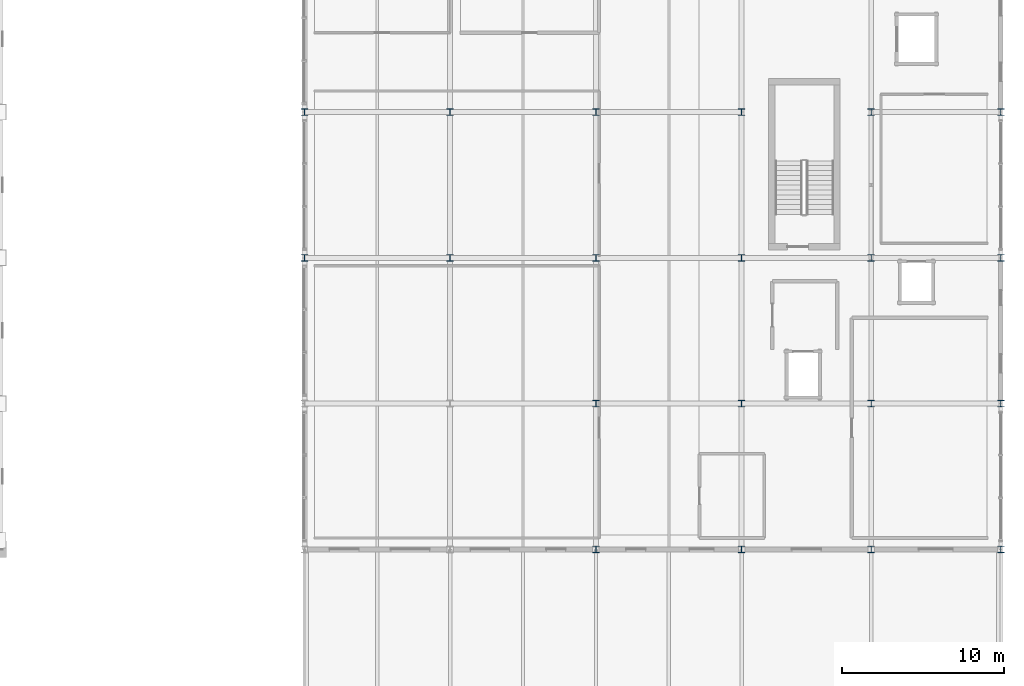
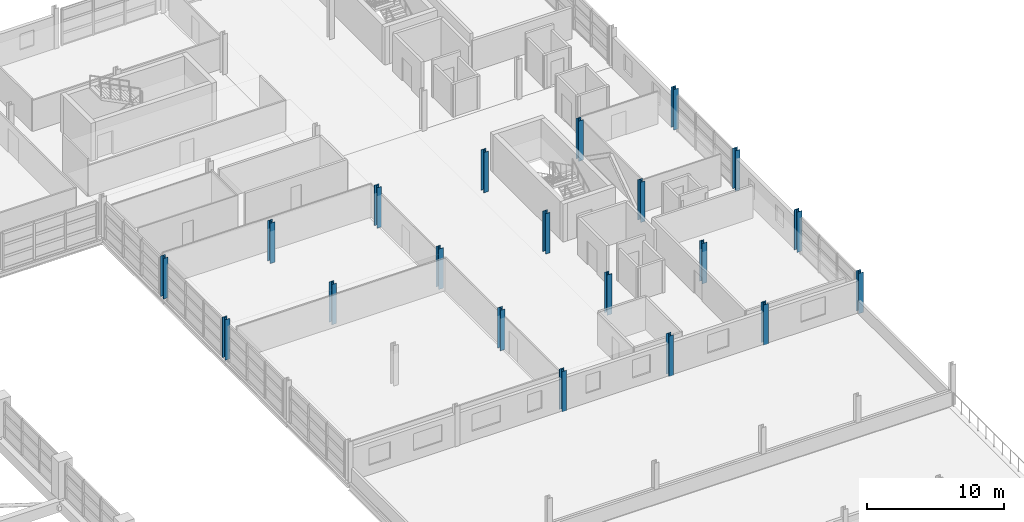
# One storey, part 16 of 116: 20 columns.
"""IFC4 building model written with IfcOpenShell, lengths in metres."""

import ifcopenshell
import ifcopenshell.guid

model = None  # the IFC model being written
_history = None  # IfcOwnerHistory: only IFC2X3 demands one
_inside = {}  # id of a spatial element -> (the spatial element, [elements in it])
_under = {}  # id of a project, library or spatial element -> (it, [spatial elements below it])
_declared = {}  # id of a project -> (the project, [libraries it declares])
_typed = {}  # id of a type object -> (the type object, [elements of that type])
_made_of = {}  # id of a material, layer set ... -> (it, [elements and type objects made of it])


def new_model(schema):
    """Start an empty IFC model of exactly this schema.

    Asked for "IFC4X3", IfcOpenShell would pick the latest addendum, in which some entities
    have other attributes; the version numbers below select the first issue.
    IFC2X3 requires an IfcOwnerHistory on every rooted entity: one is made here for all.
    """
    global model, _history
    if schema == "IFC4X3":
        model = ifcopenshell.file(schema_version=(4, 3, 0, 0))
    else:
        model = ifcopenshell.file(schema=schema)
    _inside.clear()
    _under.clear()
    _declared.clear()
    _typed.clear()
    _made_of.clear()
    _history = None
    if model.schema == "IFC2X3":
        org = make("IfcOrganization", Name="unknown")
        user = make(
            "IfcPersonAndOrganization",
            ThePerson=make("IfcPerson", FamilyName="unknown"),
            TheOrganization=org,
        )
        app = make(
            "IfcApplication",
            ApplicationDeveloper=org,
            Version="unknown",
            ApplicationFullName="unknown",
            ApplicationIdentifier="unknown",
        )
        _history = make(
            "IfcOwnerHistory",
            OwningUser=user,
            OwningApplication=app,
            ChangeAction="ADDED",
            CreationDate=0,
        )
    return model


def make(cls, **values):
    """One entity of the class cls with the attributes given. An attribute that is None is left unset."""
    return model.create_entity(
        cls, **{name: value for name, value in values.items() if value is not None}
    )


def rooted(cls, **values):
    """An entity with a GlobalId (a new one), such as an element, a storey or a relation."""
    return make(cls, GlobalId=ifcopenshell.guid.new(), OwnerHistory=_history, **values)


def si_unit(unit_type, name, prefix=None):
    """IfcSIUnit, for example si_unit("LENGTHUNIT", "METRE", prefix="MILLI")."""
    return make("IfcSIUnit", UnitType=unit_type, Prefix=prefix, Name=name)


def assignment(units):
    """IfcUnitAssignment: the units of a project."""
    return None if units is None else make("IfcUnitAssignment", Units=units)


def point(xyz):
    """IfcCartesianPoint."""
    return None if xyz is None else make("IfcCartesianPoint", Coordinates=xyz)


def direction(xyz):
    """IfcDirection."""
    return None if xyz is None else make("IfcDirection", DirectionRatios=xyz)


def frame(location, z_axis=None, x_axis=None):
    """IfcAxis2Placement3D, a coordinate frame: its origin and axes. An axis left out is left unset."""
    return make(
        "IfcAxis2Placement3D",
        Location=point(location),
        Axis=direction(z_axis),
        RefDirection=direction(x_axis),
    )


def frame_2d(location, x_axis=None):
    """IfcAxis2Placement2D, a coordinate frame in the plane: its origin and x axis."""
    return make(
        "IfcAxis2Placement2D", Location=point(location), RefDirection=direction(x_axis)
    )


def origin():
    """The frame at (0, 0, 0) with its axes left unset."""
    return frame((0.0, 0.0, 0.0))


def origin_2d():
    """The frame at (0, 0) in the plane with its x axis left unset."""
    return frame_2d((0.0, 0.0))


def place(relative_to, where):
    """IfcLocalPlacement: puts the frame where relative to a parent placement (None: the world)."""
    return make(
        "IfcLocalPlacement", PlacementRelTo=relative_to, RelativePlacement=where
    )


def context(
    kind, dimensions, precision=None, world=None, true_north=None, identifier=None
):
    """IfcGeometricRepresentationContext, for example the 3D "Model" context."""
    return make(
        "IfcGeometricRepresentationContext",
        ContextIdentifier=identifier,
        ContextType=kind,
        CoordinateSpaceDimension=dimensions,
        Precision=precision,
        WorldCoordinateSystem=world,
        TrueNorth=true_north,
    )


def subcontext(parent, identifier, kind, view, scale=None):
    """IfcGeometricRepresentationSubContext, for example "Body" below "Model"."""
    return make(
        "IfcGeometricRepresentationSubContext",
        ContextIdentifier=identifier,
        ContextType=kind,
        ParentContext=parent,
        TargetScale=scale,
        TargetView=view,
    )


def project(units=None, contexts=None):
    """IfcProject with its units and contexts."""
    return rooted(
        "IfcProject",
        Name="project",
        RepresentationContexts=contexts,
        UnitsInContext=assignment(units),
    )


def spatial(cls, under=None, at=None, **own):
    """A site, building, storey or space (cls), placed at a placement, below another one or the project."""
    s = rooted(cls, ObjectPlacement=at, **own)
    if under is not None:
        _under.setdefault(under.id(), (under, []))[1].append(s)
    return s


def profile(cls, at=None, kind="AREA", **sizes):
    """A parametric profile (cls). Its sizes go by their IFC names, for example OverallWidth=200.0."""
    return make(cls, ProfileType=kind, Position=at, **sizes)


def i_section(**sizes):
    """IfcIShapeProfileDef."""
    return profile("IfcIShapeProfileDef", **sizes)


def extrude(swept, where, along, depth):
    """IfcExtrudedAreaSolid: the profile swept, set in the frame where, extruded along a direction by depth."""
    return make(
        "IfcExtrudedAreaSolid",
        SweptArea=swept,
        Position=where,
        ExtrudedDirection=direction(along),
        Depth=depth,
    )


def shape(context_of_items, identifier, shape_type, items):
    """IfcShapeRepresentation: the items that make up one representation, for example the "Body"."""
    return make(
        "IfcShapeRepresentation",
        ContextOfItems=context_of_items,
        RepresentationIdentifier=identifier,
        RepresentationType=shape_type,
        Items=items,
    )


def material(Name=None, Category=None):
    """IfcMaterial."""
    return make("IfcMaterial", Name=Name, Category=Category)


def material_profile(
    of_material, cross_section, Name=None, Category=None, Priority=None
):
    """IfcMaterialProfile: a cross section and its material."""
    return make(
        "IfcMaterialProfile",
        Name=Name,
        Material=of_material,
        Profile=cross_section,
        Priority=Priority,
        Category=Category,
    )


def profile_set(profiles, Name=None, composite=None):
    """IfcMaterialProfileSet."""
    return make(
        "IfcMaterialProfileSet",
        Name=Name,
        MaterialProfiles=profiles,
        CompositeProfile=composite,
    )


def made_of(thing, what):
    """Note that an element or type object is made of a material, layer set ...; save() writes the relation."""
    if what is not None:
        _made_of.setdefault(what.id(), (what, []))[1].append(thing)
    return thing


def type_object(cls, material=None, **own):
    """A type object (cls), such as IfcWallType, which elements share."""
    return made_of(rooted(cls, **own), material)


def element(
    cls,
    number,
    at=None,
    inside=None,
    cuts=None,
    type_object=None,
    material=None,
    context=None,
    identifier="Body",
    shape_type=None,
    held_by="IfcProductDefinitionShape",
    body=None,
    shapes=None,
    **own,
):
    """One element of the class cls, such as IfcWall. Its Tag is "e" and its number.

    at: its placement. inside: the storey or other place that contains it. cuts: it is an
    opening in that element (IfcRelVoidsElement). A single representation is given by context,
    identifier, shape_type and body (its items); several are given by shapes. held_by: the class
    of the entity that holds the representations. save() writes the other relations.
    """
    e = rooted(cls, Tag="e%d" % number, ObjectPlacement=at, **own)
    if body is not None:
        shapes = [shape(context, identifier, shape_type, body)]
    if shapes is not None:
        e.Representation = make(held_by, Representations=shapes)
    if inside is not None:
        _inside.setdefault(inside.id(), (inside, []))[1].append(e)
    if cuts is not None:
        rooted(
            "IfcRelVoidsElement", RelatingBuildingElement=cuts, RelatedOpeningElement=e
        )
    if type_object is not None:
        _typed.setdefault(type_object.id(), (type_object, []))[1].append(e)
    return made_of(e, material)


def aggregate(whole, parts):
    """IfcRelAggregates: a whole, such as a stair, and the parts it consists of."""
    return rooted("IfcRelAggregates", RelatingObject=whole, RelatedObjects=parts)


def save(model, path):
    """Write the relations noted so far, then the file.

    IfcRelAggregates (storeys below a building ...), IfcRelContainedInSpatialStructure (elements
    in a storey), IfcRelDefinesByType, IfcRelAssociatesMaterial and IfcRelDeclares: one each for
    every whole, place, type object, material and project.
    """
    for whole, parts in _under.values():
        aggregate(whole, parts)
    for where, things in _inside.values():
        rooted(
            "IfcRelContainedInSpatialStructure",
            RelatedElements=things,
            RelatingStructure=where,
        )
    for kind, things in _typed.values():
        rooted("IfcRelDefinesByType", RelatedObjects=things, RelatingType=kind)
    for what, things in _made_of.values():
        rooted("IfcRelAssociatesMaterial", RelatedObjects=things, RelatingMaterial=what)
    for by, libraries in _declared.values():
        rooted("IfcRelDeclares", RelatingContext=by, RelatedDefinitions=libraries)
    model.write(path)


model = new_model("IFC4")

# Units and contexts
model_context = context("Model", 3, precision=1e-05, world=origin(), true_north=direction((0.0, 1.0)))
body_context = subcontext(model_context, "Body", "Model", "MODEL_VIEW")
ifc_project = project(units=[si_unit("LENGTHUNIT", "METRE"), si_unit("AREAUNIT", "SQUARE_METRE"), si_unit("VOLUMEUNIT", "CUBIC_METRE"), si_unit("PLANEANGLEUNIT", "RADIAN"), si_unit("MASSUNIT", "GRAM", prefix="KILO")], contexts=[model_context])

# Site, building, storey
site_placement = place(None, origin())
site = spatial("IfcSite", under=ifc_project, at=site_placement, CompositionType="ELEMENT")
building_placement = place(site_placement, origin())
building = spatial("IfcBuilding", under=site, at=building_placement, Name="Chuanluo Vaults Station", CompositionType="ELEMENT")
storey_placement = place(building_placement, frame((0.0, 0.0, 10.800048828125)))
storey = spatial("IfcBuildingStorey", under=building, at=storey_placement, Name="L02", CompositionType="ELEMENT", Elevation=10.800048828125)

# Columns
ifc_material = material(Name="Steel Q355C", Category="steel")
ifc_material_profile = material_profile(ifc_material, i_section(OverallWidth=0.39990234375, OverallDepth=0.407958984375, WebThickness=0.02099609375, FlangeThickness=0.02099609375, FilletRadius=0.02197265625, at=origin_2d()))
ifc_profile_set = profile_set([ifc_material_profile], Name="Steel Q355C")
column_type = type_object("IfcColumnType", Name="COL-STL-HW408", PredefinedType="COLUMN", material=ifc_profile_set)
for number, where, z_axis, x_axis, name in (
    (1, (145.0, 85.5, 0.0), (0.0, 0.0, 1.0), (1.0, 0.0, 0.0), "Column L02-105"),
    (2, (145.0, 94.5, 0.0), (0.0, 0.0, 1.0), (1.0, 0.0, 0.0), "Column L02-106"),
    (3, (154.0, 85.5, 0.0), (0.0, 0.0, 1.0), (1.0, 0.0, 0.0), "Column L02-118"),
    (4, (154.0, 94.5, 0.0), (0.0, 0.0, 1.0), (1.0, 0.0, 0.0), "Column L02-119"),
    (5, (163.0, 67.5, 0.0), (0.0, 0.0, 1.0), (1.0, 0.0, 0.0), "Column L02-129"),
    (6, (163.0, 76.5, 0.0), (0.0, 0.0, 1.0), (1.0, 0.0, 0.0), "Column L02-130"),
    (7, (163.0, 85.5, 0.0), (0.0, 0.0, 1.0), (1.0, 0.0, 0.0), "Column L02-131"),
    (8, (163.0, 94.5, 0.0), (0.0, 0.0, 1.0), (1.0, 0.0, 0.0), "Column L02-132"),
    (9, (172.0, 67.5, 0.0), (0.0, 0.0, 1.0), (1.0, 0.0, 0.0), "Column L02-142"),
    (10, (172.0, 76.5, 0.0), (0.0, 0.0, 1.0), (1.0, 0.0, 0.0), "Column L02-143"),
    (11, (172.0, 85.5, 0.0), (0.0, 0.0, 1.0), (1.0, 0.0, 0.0), "Column L02-144"),
    (12, (172.0, 94.5, 0.0), (0.0, 0.0, 1.0), (1.0, 0.0, 0.0), "Column L02-145"),
    (13, (180.0, 67.5, 0.0), (0.0, 0.0, 1.0), (1.0, 0.0, 0.0), "Column L02-155"),
    (14, (180.0, 76.5, 0.0), (0.0, 0.0, 1.0), (1.0, 0.0, 0.0), "Column L02-156"),
    (15, (180.0, 85.5, 0.0), (0.0, 0.0, 1.0), (1.0, 0.0, 0.0), "Column L02-157"),
    (16, (180.0, 94.5, 0.0), (0.0, 0.0, 1.0), (1.0, 0.0, 0.0), "Column L02-158"),
    (17, (188.0, 67.5, 0.0), (0.0, 0.0, 1.0), (1.0, 0.0, 0.0), "Column L02-168"),
    (18, (188.0, 76.5, 0.0), (0.0, 0.0, 1.0), (1.0, 0.0, 0.0), "Column L02-169"),
    (19, (188.0, 85.5, 0.0), (0.0, 0.0, 1.0), (1.0, 0.0, 0.0), "Column L02-170"),
    (20, (188.0, 94.5, 0.0), (0.0, 0.0, 1.0), (1.0, 0.0, 0.0), "Column L02-171"),
):
    element("IfcColumn", number, at=place(storey_placement, frame(where, z_axis=z_axis, x_axis=x_axis)), inside=storey, type_object=column_type, Name=name, PredefinedType="COLUMN", context=body_context, shape_type="SweptSolid", body=[
        extrude(i_section(OverallWidth=0.39990234375, OverallDepth=0.407958984375, WebThickness=0.02099609375, FlangeThickness=0.02099609375, FilletRadius=0.02197265625, at=origin_2d()), origin(), (0.0, 0.0, 1.0), 3.599853515625),
    ])

save(model, "model.ifc")
